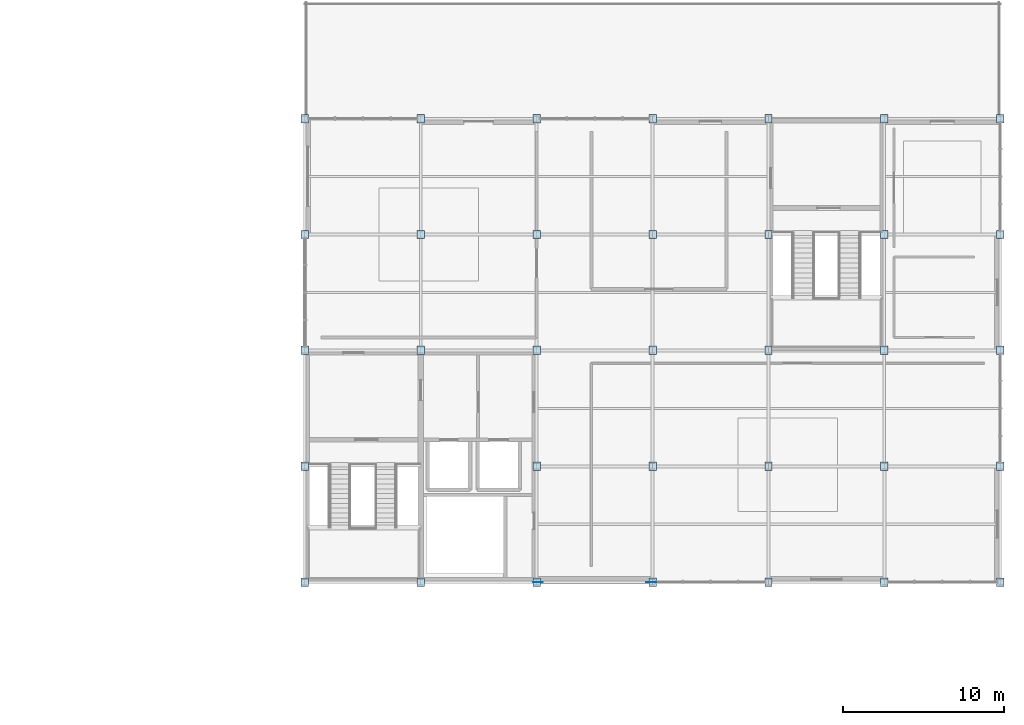
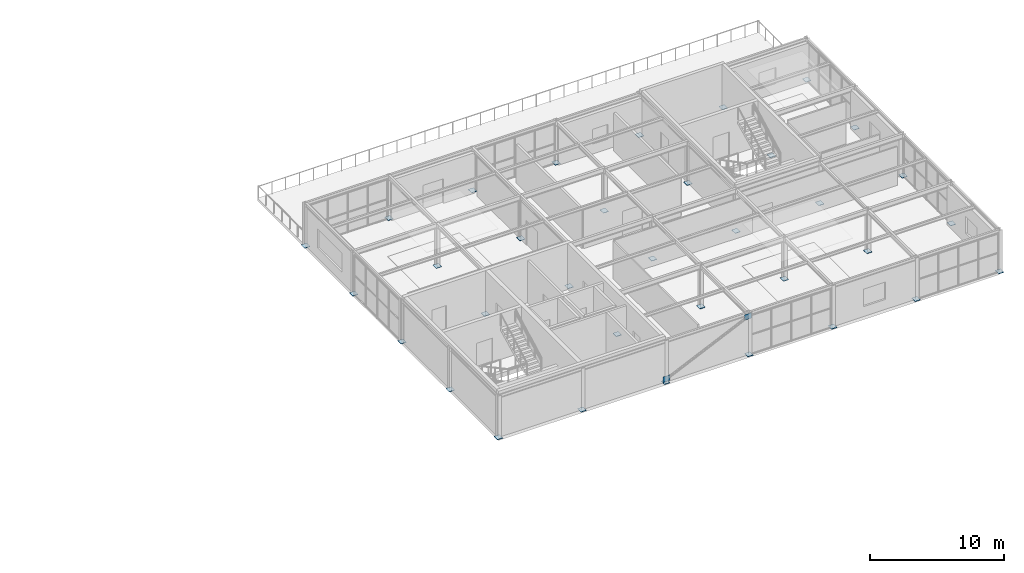
# One storey, part 20 of 30: 36 plates.
"""IFC4 building model written with IfcOpenShell, lengths in metres."""

from ifc_helpers import new_model, si_unit, direction, frame, origin, origin_2d, place, context, subcontext, project, spatial, rectangle, extrude, material, layer, layer_set, type_object, element, save


model = new_model("IFC4")

# Units and contexts
model_context = context("Model", 3, precision=1e-05, world=origin(), true_north=direction((0.0, 1.0)))
body_context = subcontext(model_context, "Body", "Model", "MODEL_VIEW")
ifc_project = project(units=[si_unit("LENGTHUNIT", "METRE"), si_unit("AREAUNIT", "SQUARE_METRE"), si_unit("VOLUMEUNIT", "CUBIC_METRE"), si_unit("PLANEANGLEUNIT", "RADIAN"), si_unit("MASSUNIT", "GRAM", prefix="KILO")], contexts=[model_context])

# Site, building, storey
site_placement = place(None, origin())
site = spatial("IfcSite", under=ifc_project, at=site_placement, CompositionType="ELEMENT")
building_placement = place(site_placement, origin())
building = spatial("IfcBuilding", under=site, at=building_placement, Name="Leyfeld Transit Interchange", CompositionType="ELEMENT")
storey_placement = place(building_placement, frame((0.0, 0.0, 13.800048828125)))
storey = spatial("IfcBuildingStorey", under=building, at=storey_placement, Name="L03", CompositionType="ELEMENT", Elevation=13.800048828125)

# Plates
ifc_material = material(Name="Steel S355J2", Category="steel")
ifc_layer_1 = layer(ifc_material, 0.031982421875, Name="Steel S355J2")
ifc_layer_set_1 = layer_set([ifc_layer_1], Name="Steel S355J2")
plate_type_1 = type_object("IfcPlateType", Name="PLT-BASE-32", PredefinedType="USERDEFINED", material=ifc_layer_set_1)
for number, where, z_axis, x_axis, name in (
    (1, (136.800048828125, 57.60009765625, 0.0), (0.0, 0.0, 1.0), (1.0, 0.0, 0.0), "Column Baseplate 0729"),
    (2, (136.800048828125, 64.800048828125, 0.0), (0.0, 0.0, 1.0), (1.0, 0.0, 0.0), "Column Baseplate 0736"),
    (3, (136.800048828125, 72.0, 0.0), (0.0, 0.0, 1.0), (1.0, 0.0, 0.0), "Column Baseplate 0743"),
    (4, (136.800048828125, 79.199951171875, 0.0), (0.0, 0.0, 1.0), (1.0, 0.0, 0.0), "Column Baseplate 0748"),
    (5, (136.800048828125, 86.39990234375, 0.0), (0.0, 0.0, 1.0), (1.0, 0.0, 0.0), "Column Baseplate 0752"),
    (6, (144.0, 57.60009765625, 0.0), (0.0, 0.0, 1.0), (1.0, 0.0, 0.0), "Column Baseplate 0778"),
    (7, (144.0, 72.0, 0.0), (0.0, 0.0, 1.0), (1.0, 0.0, 0.0), "Column Baseplate 0785"),
    (8, (144.0, 79.199951171875, 0.0), (0.0, 0.0, 1.0), (1.0, 0.0, 0.0), "Column Baseplate 0790"),
    (9, (144.0, 86.39990234375, 0.0), (0.0, 0.0, 1.0), (1.0, 0.0, 0.0), "Column Baseplate 0794"),
    (10, (151.199951171875, 57.60009765625, 0.0), (0.0, 0.0, 1.0), (1.0, 0.0, 0.0), "Column Baseplate 0815"),
    (11, (151.199951171875, 64.800048828125, 0.0), (0.0, 0.0, 1.0), (1.0, 0.0, 0.0), "Column Baseplate 0822"),
    (12, (151.199951171875, 72.0, 0.0), (0.0, 0.0, 1.0), (1.0, 0.0, 0.0), "Column Baseplate 0829"),
    (13, (151.199951171875, 79.199951171875, 0.0), (0.0, 0.0, 1.0), (1.0, 0.0, 0.0), "Column Baseplate 0834"),
    (14, (151.199951171875, 86.39990234375, 0.0), (0.0, 0.0, 1.0), (1.0, 0.0, 0.0), "Column Baseplate 0838"),
    (15, (158.39990234375, 57.60009765625, 0.0), (0.0, 0.0, 1.0), (1.0, 0.0, 0.0), "Column Baseplate 0858"),
    (16, (158.39990234375, 64.800048828125, 0.0), (0.0, 0.0, 1.0), (1.0, 0.0, 0.0), "Column Baseplate 0865"),
    (17, (158.39990234375, 72.0, 0.0), (0.0, 0.0, 1.0), (1.0, 0.0, 0.0), "Column Baseplate 0872"),
    (18, (158.39990234375, 79.199951171875, 0.0), (0.0, 0.0, 1.0), (1.0, 0.0, 0.0), "Column Baseplate 0877"),
    (19, (158.39990234375, 86.39990234375, 0.0), (0.0, 0.0, 1.0), (1.0, 0.0, 0.0), "Column Baseplate 0882"),
    (20, (165.60009765625, 57.60009765625, 0.0), (0.0, 0.0, 1.0), (1.0, 0.0, 0.0), "Column Baseplate 0892"),
    (21, (165.60009765625, 64.800048828125, 0.0), (0.0, 0.0, 1.0), (1.0, 0.0, 0.0), "Column Baseplate 0896"),
    (22, (165.60009765625, 72.0, 0.0), (0.0, 0.0, 1.0), (1.0, 0.0, 0.0), "Column Baseplate 0901"),
    (23, (165.60009765625, 79.199951171875, 0.0), (0.0, 0.0, 1.0), (1.0, 0.0, 0.0), "Column Baseplate 0906"),
    (24, (165.60009765625, 86.39990234375, 0.0), (0.0, 0.0, 1.0), (1.0, 0.0, 0.0), "Column Baseplate 0911"),
    (25, (172.800048828125, 57.60009765625, 0.0), (0.0, 0.0, 1.0), (1.0, 0.0, 0.0), "Column Baseplate 0924"),
    (26, (172.800048828125, 64.800048828125, 0.0), (0.0, 0.0, 1.0), (1.0, 0.0, 0.0), "Column Baseplate 0928"),
    (27, (172.800048828125, 72.0, 0.0), (0.0, 0.0, 1.0), (1.0, 0.0, 0.0), "Column Baseplate 0933"),
    (28, (172.800048828125, 79.199951171875, 0.0), (0.0, 0.0, 1.0), (1.0, 0.0, 0.0), "Column Baseplate 0938"),
    (29, (172.800048828125, 86.39990234375, 0.0), (0.0, 0.0, 1.0), (1.0, 0.0, 0.0), "Column Baseplate 0943"),
    (30, (180.0, 57.60009765625, 0.0), (0.0, 0.0, 1.0), (1.0, 0.0, 0.0), "Column Baseplate 0953"),
    (31, (180.0, 64.800048828125, 0.0), (0.0, 0.0, 1.0), (1.0, 0.0, 0.0), "Column Baseplate 0957"),
    (32, (180.0, 72.0, 0.0), (0.0, 0.0, 1.0), (1.0, 0.0, 0.0), "Column Baseplate 0961"),
    (33, (180.0, 79.199951171875, 0.0), (0.0, 0.0, 1.0), (1.0, 0.0, 0.0), "Column Baseplate 0965"),
    (34, (180.0, 86.39990234375, 0.0), (0.0, 0.0, 1.0), (1.0, 0.0, 0.0), "Column Baseplate 0969"),
):
    element("IfcPlate", number, at=place(storey_placement, frame(where, z_axis=z_axis, x_axis=x_axis)), inside=storey, type_object=plate_type_1, Name=name, ObjectType="BASE_PLATE", PredefinedType="USERDEFINED", context=body_context, shape_type="SweptSolid", body=[
        extrude(rectangle(XDim=0.4599609375, YDim=0.52001953125, at=origin_2d()), origin(), (0.0, 0.0, 1.0), 0.031982421875),
    ])
ifc_layer_2 = layer(ifc_material, 0.02490234375, Name="Steel S355J2")
ifc_layer_set_2 = layer_set([ifc_layer_2], Name="Steel S355J2")
plate_type_2 = type_object("IfcPlateType", Name="PLT-GUS-25", PredefinedType="SHEET", material=ifc_layer_set_2)
for number, where, z_axis, x_axis, name in (
    (35, (151.280029296875, 57.60009765625, 0.050048828125), (0.0, 0.0, 1.0), (1.0, 0.0, 0.0), "Bracing Lower Gusset 010"),
    (36, (158.320068359375, 57.60009765625, 3.25), (0.0, 0.0, 1.0), (1.0, 0.0, 0.0), "Bracing Upper Gusset 010"),
):
    element("IfcPlate", number, at=place(storey_placement, frame(where, z_axis=z_axis, x_axis=x_axis)), inside=storey, type_object=plate_type_2, Name=name, PredefinedType="SHEET", context=body_context, shape_type="SweptSolid", body=[
        extrude(rectangle(XDim=0.60009765625, YDim=0.02490234375, at=origin_2d()), origin(), (0.0, 0.0, 1.0), 0.5),
    ])

save(model, "model.ifc")
